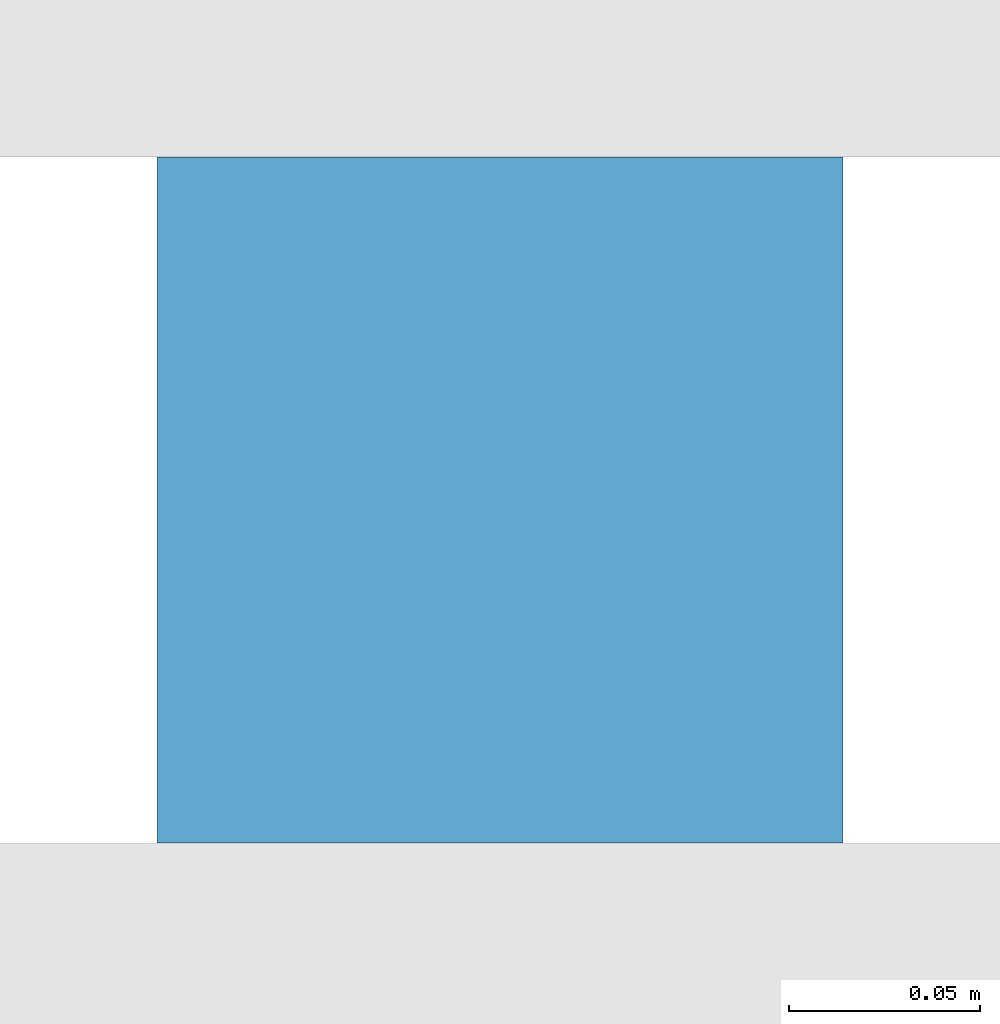
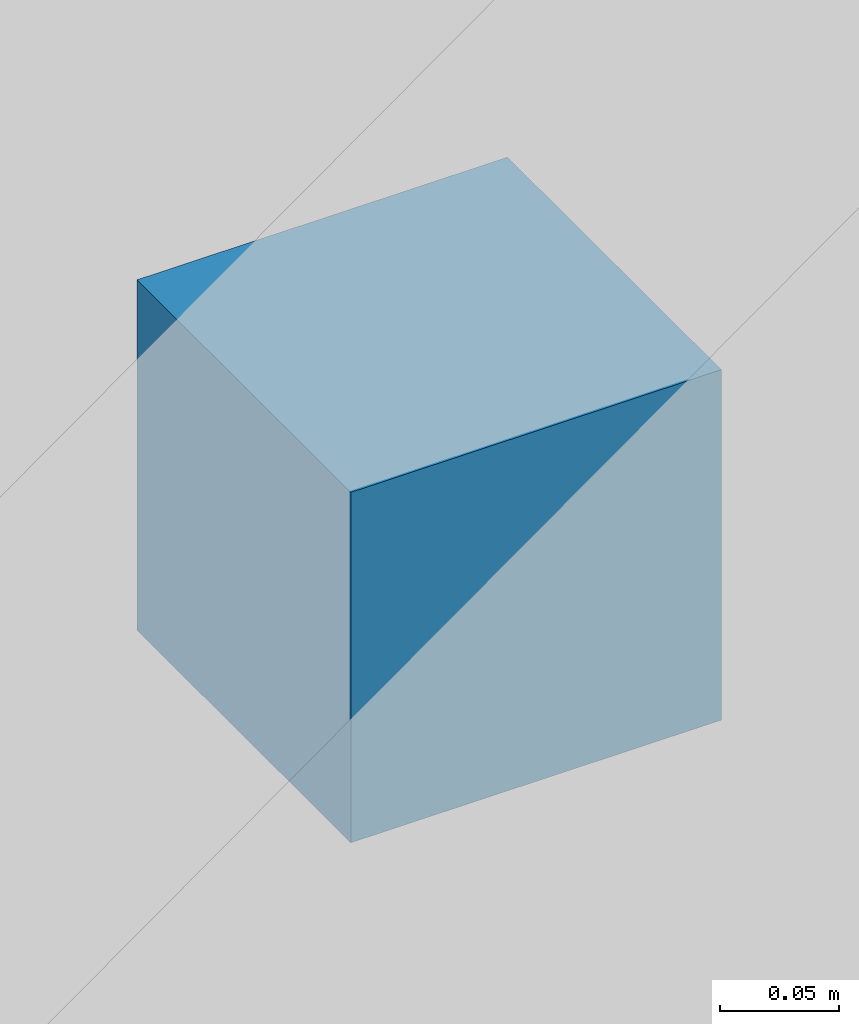
# One storey, part 79 of 90: 1 discrete accessory.
"""IFC4 building model written with IfcOpenShell, lengths in metres."""

from ifc_helpers import new_model, si_unit, direction, frame, origin, origin_2d, place, context, subcontext, project, spatial, rectangle, extrude, material, type_object, element, save


model = new_model("IFC4")

# Units and contexts
model_context = context("Model", 3, precision=1e-05, world=origin(), true_north=direction((0.0, 1.0)))
body_context = subcontext(model_context, "Body", "Model", "MODEL_VIEW")
ifc_project = project(units=[si_unit("LENGTHUNIT", "METRE"), si_unit("AREAUNIT", "SQUARE_METRE"), si_unit("VOLUMEUNIT", "CUBIC_METRE"), si_unit("PLANEANGLEUNIT", "RADIAN"), si_unit("MASSUNIT", "GRAM", prefix="KILO")], contexts=[model_context])

# Site, building, storey
site_placement = place(None, origin())
site = spatial("IfcSite", under=ifc_project, at=site_placement, CompositionType="ELEMENT")
building_placement = place(site_placement, origin())
building = spatial("IfcBuilding", under=site, at=building_placement, Name="Solanera Park Tramway Depot", CompositionType="ELEMENT")
storey_placement = place(building_placement, frame((0.0, 0.0, 9.0)))
storey = spatial("IfcBuildingStorey", under=building, at=storey_placement, Name="L02", CompositionType="ELEMENT", Elevation=9.0)

# Discrete accessory
ifc_material = material(Name="Steel AS/NZS 3679.1 Grade 350", Category="steel")
discrete_accessory_type = type_object("IfcDiscreteAccessoryType", Name="Facade Sunshade Fixing Bracket 180x180", PredefinedType="BRACKET", material=ifc_material)
discrete_accessory_placement = place(storey_placement, frame((17.35009765625, 10.570068359375, 1.56494140625), z_axis=(0.0, 0.0, 1.0), x_axis=(1.0, 0.0, 0.0)))
element("IfcDiscreteAccessory", 1, at=discrete_accessory_placement, inside=storey, type_object=discrete_accessory_type, Name="Jalousie Bracket #008", PredefinedType="BRACKET", context=body_context, shape_type="SweptSolid", body=[
    extrude(rectangle(XDim=0.179931640625, YDim=0.179931640625, at=origin_2d()), origin(), (0.0, 0.0, 1.0), 0.179931640625),
])

save(model, "model.ifc")
